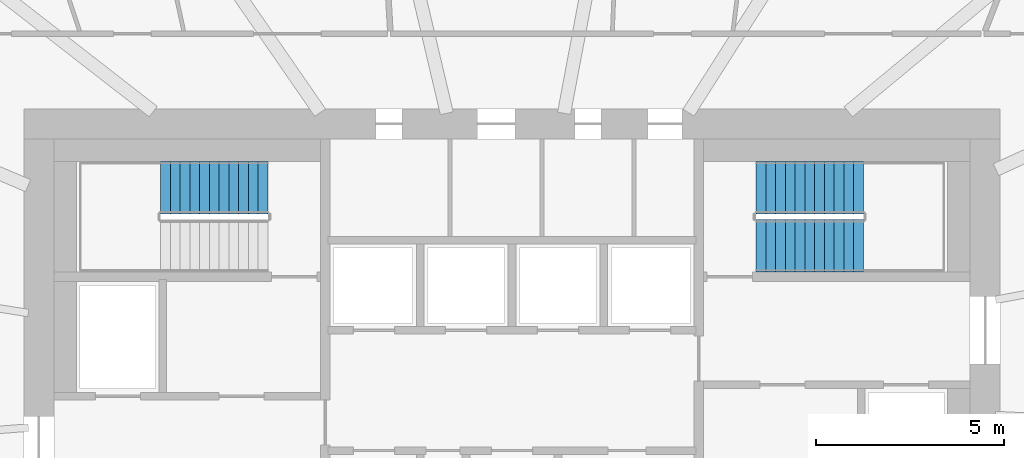
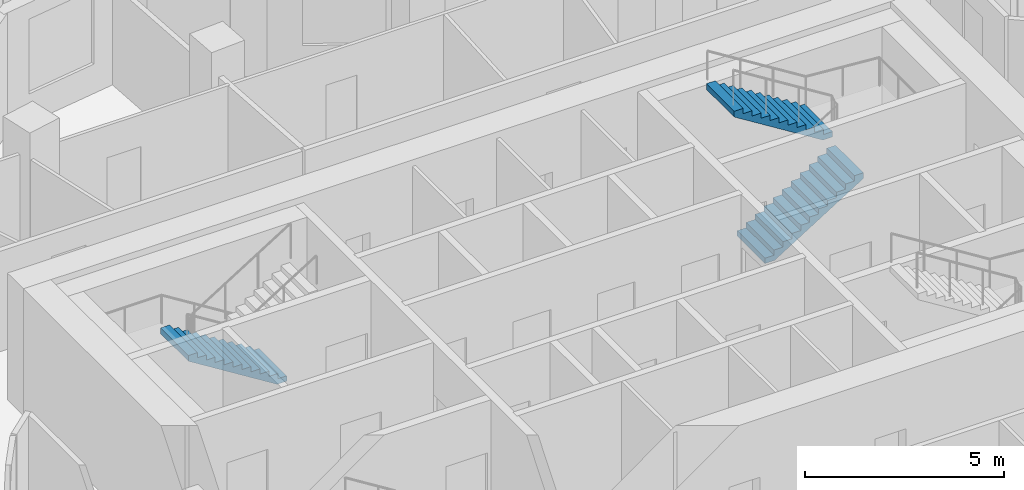
# One storey, part 11 of 12: 3 stair flights, 2 elements without a shape of their own.
"""IFC4 building model written with IfcOpenShell, lengths in metres."""

from ifc_helpers import new_model, si_unit, direction, frame, origin, place, context, subcontext, project, spatial, polyline, outline, extrude, material, type_object, element, aggregate, save


model = new_model("IFC4")

# Units and contexts
model_context = context("Model", 3, precision=1e-05, world=origin(), true_north=direction((0.0, 1.0)))
body_context = subcontext(model_context, "Body", "Model", "MODEL_VIEW")
ifc_project = project(units=[si_unit("LENGTHUNIT", "METRE"), si_unit("AREAUNIT", "SQUARE_METRE"), si_unit("VOLUMEUNIT", "CUBIC_METRE"), si_unit("PLANEANGLEUNIT", "RADIAN"), si_unit("MASSUNIT", "GRAM", prefix="KILO")], contexts=[model_context])

# Site, building, storey
site_placement = place(None, origin())
site = spatial("IfcSite", under=ifc_project, at=site_placement, CompositionType="ELEMENT")
building_placement = place(site_placement, origin())
building = spatial("IfcBuilding", under=site, at=building_placement, Name="Rubra Terraces Tower", CompositionType="ELEMENT")
storey_placement = place(building_placement, frame((0.0, 0.0, 201.300048828125)))
storey = spatial("IfcBuildingStorey", under=building, at=storey_placement, Name="L49", CompositionType="ELEMENT", Elevation=201.300048828125)

# Stair, stair flight
ifc_material = material(Name="Concrete C40", Category="concrete")
stair_type = type_object("IfcStairType", Name="Core stair 1400", PredefinedType="HALF_TURN_STAIR", material=ifc_material)
stair_1_placement = place(storey_placement, origin())
stair_1 = element("IfcStair", 1, at=stair_1_placement, inside=storey, type_object=stair_type, Name="L49 Exit stair S2", PredefinedType="HALF_TURN_STAIR")
stair_flight_type = type_object("IfcStairFlightType", Name="Core stair flight 1400", PredefinedType="STRAIGHT", material=ifc_material)
stair_flight_1_placement = place(storey_placement, frame((-6.5, 9.89990234375, 0.0), z_axis=(0.0, 0.0, 1.0), x_axis=(-1.0, 0.0, 0.0)))
stair_flight_1 = element("IfcStairFlight", 2, at=stair_flight_1_placement, type_object=stair_flight_type, Name="S2 flight 1", NumberOfRisers=12, NumberOfTreads=11, PredefinedType="STRAIGHT", RiserHeight=0.1625, TreadLength=0.26, context=body_context, shape_type="SweptSolid", body=[
    extrude(outline(polyline([(0.0, 0.0), (0.0, 0.16259765625), (0.260009765625, 0.16259765625), (0.260009765625, 0.324951171875), (0.52001953125, 0.324951171875), (0.52001953125, 0.487548828125), (0.780029296875, 0.487548828125), (0.780029296875, 0.64990234375), (1.0400390625, 0.64990234375), (1.0400390625, 0.8125), (1.300048828125, 0.8125), (1.300048828125, 0.97509765625), (1.56005859375, 0.97509765625), (1.56005859375, 1.137451171875), (1.820068359375, 1.137451171875), (1.820068359375, 1.300048828125), (2.080078125, 1.300048828125), (2.080078125, 1.46240234375), (2.340087890625, 1.46240234375), (2.340087890625, 1.625), (2.60009765625, 1.625), (2.60009765625, 1.78759765625), (2.860107421875, 1.78759765625), (2.860107421875, 1.949951171875), (2.860107421875, 1.61083984375), (0.28271484375, 0.0), (0.0, 0.0)])), frame((0.0, 0.699951171875, 0.0), z_axis=(0.0, -1.0, 0.0), x_axis=(1.0, 0.0, 0.0)), (0.0, 0.0, 1.0), 1.39990234375),
])
aggregate(stair_1, [stair_flight_1])

# Stair, stair flights
stair_2_placement = place(storey_placement, origin())
stair_2 = element("IfcStair", 3, at=stair_2_placement, inside=storey, type_object=stair_type, Name="L49 Exit stair S3", PredefinedType="HALF_TURN_STAIR")
stair_flight_2_placement = place(storey_placement, frame((6.5, 8.35009765625, 0.0), z_axis=(0.0, 0.0, 1.0), x_axis=(1.0, 0.0, 0.0)))
stair_flight_2 = element("IfcStairFlight", 4, at=stair_flight_2_placement, type_object=stair_flight_type, Name="S3 flight 1", NumberOfRisers=12, NumberOfTreads=11, PredefinedType="STRAIGHT", RiserHeight=0.1625, TreadLength=0.26, context=body_context, shape_type="SweptSolid", body=[
    extrude(outline(polyline([(0.0, 0.0), (0.0, 0.16259765625), (0.260009765625, 0.16259765625), (0.260009765625, 0.324951171875), (0.52001953125, 0.324951171875), (0.52001953125, 0.487548828125), (0.780029296875, 0.487548828125), (0.780029296875, 0.64990234375), (1.0400390625, 0.64990234375), (1.0400390625, 0.8125), (1.300048828125, 0.8125), (1.300048828125, 0.97509765625), (1.56005859375, 0.97509765625), (1.56005859375, 1.137451171875), (1.820068359375, 1.137451171875), (1.820068359375, 1.300048828125), (2.080078125, 1.300048828125), (2.080078125, 1.46240234375), (2.340087890625, 1.46240234375), (2.340087890625, 1.625), (2.60009765625, 1.625), (2.60009765625, 1.78759765625), (2.860107421875, 1.78759765625), (2.860107421875, 1.949951171875), (2.860107421875, 1.61083984375), (0.28271484375, 0.0), (0.0, 0.0)])), frame((0.0, 0.699951171875, 0.0), z_axis=(0.0, -1.0, 0.0), x_axis=(1.0, 0.0, 0.0)), (0.0, 0.0, 1.0), 1.39990234375),
])
stair_flight_3_placement = place(storey_placement, frame((9.360107421875, 9.89990234375, 1.949951171875), z_axis=(0.0, 0.0, 1.0), x_axis=(-1.0, 0.0, 0.0)))
stair_flight_3 = element("IfcStairFlight", 5, at=stair_flight_3_placement, type_object=stair_flight_type, Name="S3 flight 2", NumberOfRisers=12, NumberOfTreads=11, PredefinedType="STRAIGHT", RiserHeight=0.1625, TreadLength=0.26, context=body_context, shape_type="SweptSolid", body=[
    extrude(outline(polyline([(0.0, 0.0), (0.0, 0.16259765625), (0.260009765625, 0.16259765625), (0.260009765625, 0.324951171875), (0.52001953125, 0.324951171875), (0.52001953125, 0.487548828125), (0.780029296875, 0.487548828125), (0.780029296875, 0.64990234375), (1.0400390625, 0.64990234375), (1.0400390625, 0.8125), (1.300048828125, 0.8125), (1.300048828125, 0.97509765625), (1.56005859375, 0.97509765625), (1.56005859375, 1.137451171875), (1.820068359375, 1.137451171875), (1.820068359375, 1.300048828125), (2.080078125, 1.300048828125), (2.080078125, 1.46240234375), (2.340087890625, 1.46240234375), (2.340087890625, 1.625), (2.60009765625, 1.625), (2.60009765625, 1.78759765625), (2.860107421875, 1.78759765625), (2.860107421875, 1.949951171875), (2.860107421875, 1.61083984375), (0.28271484375, 0.0), (0.0, 0.0)])), frame((0.0, 0.699951171875, 0.0), z_axis=(0.0, -1.0, 0.0), x_axis=(1.0, 0.0, 0.0)), (0.0, 0.0, 1.0), 1.39990234375),
])
aggregate(stair_2, [stair_flight_2, stair_flight_3])

save(model, "model.ifc")
